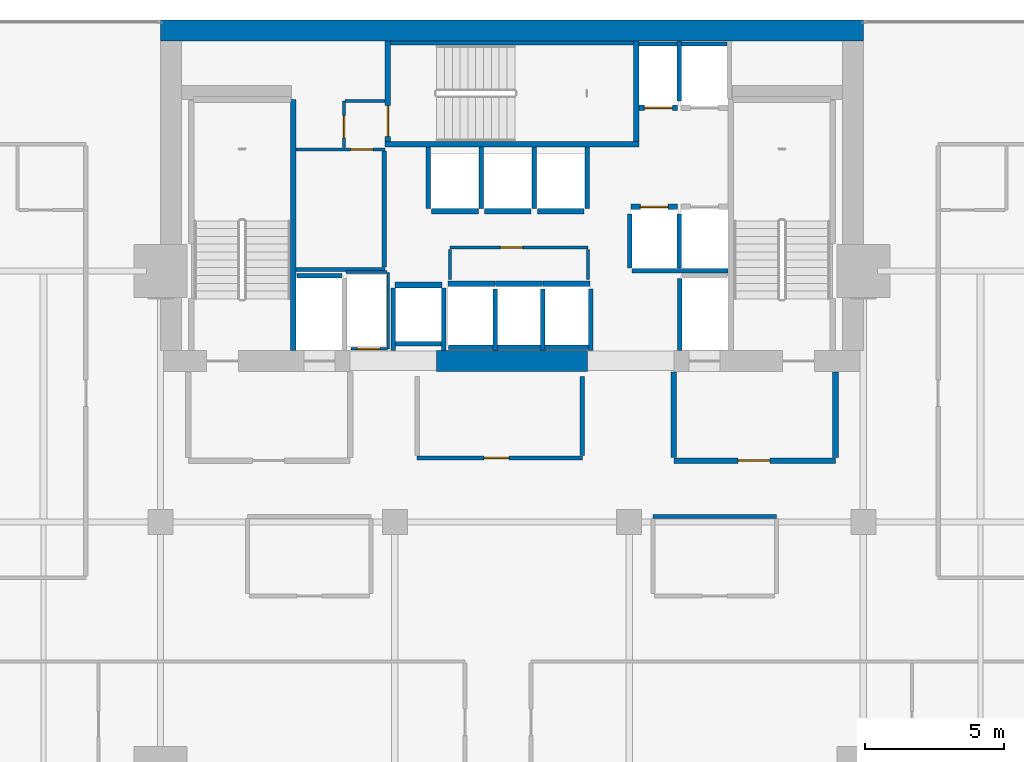
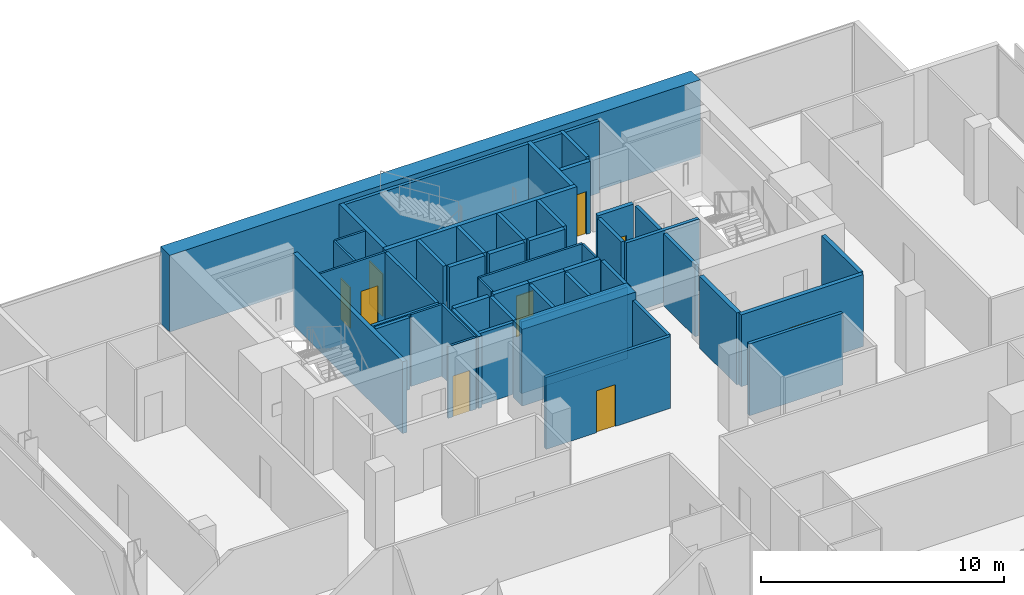
# One storey, part 29 of 32: 51 walls, 9 doors, 9 openings.
"""IFC4 building model written with IfcOpenShell, lengths in metres."""

from ifc_helpers import new_model, si_unit, direction, frame, frame_2d, origin, place, context, subcontext, project, spatial, rectangle, extrude, material, layer, layer_set, type_object, element, fill, save


model = new_model("IFC4")

# Units and contexts
model_context = context("Model", 3, precision=1e-05, world=origin(), true_north=direction((0.0, 1.0)))
body_context = subcontext(model_context, "Body", "Model", "MODEL_VIEW")
ifc_project = project(units=[si_unit("LENGTHUNIT", "METRE"), si_unit("AREAUNIT", "SQUARE_METRE"), si_unit("VOLUMEUNIT", "CUBIC_METRE"), si_unit("PLANEANGLEUNIT", "RADIAN"), si_unit("MASSUNIT", "GRAM", prefix="KILO")], contexts=[model_context])

# Site, building, storey
site_placement = place(None, origin())
site = spatial("IfcSite", under=ifc_project, at=site_placement, CompositionType="ELEMENT")
building_placement = place(site_placement, origin())
building = spatial("IfcBuilding", under=site, at=building_placement, Name="Maruvema Waterfront Hotel and Observation Tower", CompositionType="ELEMENT")
storey_placement = place(building_placement, frame((0.0, 0.0, 162.050048828125)))
storey = spatial("IfcBuildingStorey", under=building, at=storey_placement, Name="L39", CompositionType="ELEMENT", Elevation=162.050048828125)

# Walls
ifc_material_1 = material(Name="Twin-stud acoustic gypsum drywall", Category="gypsum")
ifc_layer_1 = layer(ifc_material_1, 0.14990234375, Name="Acoustic Corridor and Suite Demising Wall 150 mm")
ifc_layer_set_1 = layer_set([ifc_layer_1], Name="Twin-stud acoustic gypsum drywall")
wall_type_1 = type_object("IfcWallType", Name="Acoustic Corridor and Suite Demising Wall 150 mm", PredefinedType="PARTITIONING", material=ifc_layer_set_1)
wall_1_placement = place(storey_placement, frame((30.06005859375, 45.06005859375, 0.0), z_axis=(0.0, 0.0, 1.0), x_axis=(1.0, 0.0, 0.0)))
element("IfcWall", 1, at=wall_1_placement, inside=storey, type_object=wall_type_1, Name="L39 Freed B1 South Wall 013", PredefinedType="PARTITIONING", context=body_context, shape_type="SweptSolid", body=[
    extrude(rectangle(XDim=3.179931640625, YDim=0.14990234375, at=frame_2d((1.58984375, 0.0))), origin(), (0.0, 0.0, 1.0), 3.60986328125),
])
wall_2_placement = place(storey_placement, frame((33.219970703125, 45.139892578125, 0.0), z_axis=(0.0, 0.0, 1.0), x_axis=(0.0, 1.0, 0.0)))
element("IfcWall", 2, at=wall_2_placement, inside=storey, type_object=wall_type_1, Name="L39 Freed B1 East Wall 014", PredefinedType="PARTITIONING", context=body_context, shape_type="SweptSolid", body=[
    extrude(rectangle(XDim=4.16015625, YDim=0.14990234375, at=frame_2d((2.080078125, 0.0))), origin(), (0.0, 0.0, 1.0), 3.60986328125),
])

# Wall, opening, door
wall_3_placement = place(storey_placement, frame((34.39990234375, 38.300048828125, 0.0), z_axis=(0.0, 0.0, 1.0), x_axis=(1.0, 0.0, 0.0)))
wall_3 = element("IfcWall", 3, at=wall_3_placement, inside=storey, type_object=wall_type_1, Name="L39 Core Apron K0 South 018", PredefinedType="PARTITIONING", context=body_context, shape_type="SweptSolid", body=[
    extrude(rectangle(XDim=5.920166015625, YDim=0.14990234375, at=frame_2d((2.9599609375, 0.0))), origin(), (0.0, 0.0, 1.0), 3.60986328125),
])
opening_1_placement = place(wall_3_placement, frame((2.39990234375, 0.0, 0.0)))
opening_1 = element("IfcOpeningElement", 4, at=opening_1_placement, cuts=wall_3, Name="Opening DR-090", PredefinedType="OPENING", context=body_context, shape_type="SweptSolid", body=[
    extrude(rectangle(XDim=0.89990234375, YDim=2.10009765625, at=frame_2d((0.449951171875, 1.050048828125))), frame((0.0, 0.0849609375, 0.0), z_axis=(0.0, -1.0, 0.0), x_axis=(1.0, 0.0, 0.0)), (0.0, 0.0, 1.0), 0.169921875),
])
ifc_material_2 = material(Name="Solid-core lacquered timber leaf", Category="wood")
door_type_1 = type_object("IfcDoorType", Name="Accessible Toilet and Room Door 900x2100 mm", OperationType="NOTDEFINED", PredefinedType="DOOR", material=ifc_material_2)
door_1_placement = place(opening_1_placement, frame((0.89990234375, 0.0, 0.0), z_axis=(0.0, 0.0, 1.0), x_axis=(-1.0, 0.0, 0.0)))
door_1 = element("IfcDoor", 5, at=door_1_placement, inside=storey, type_object=door_type_1, Name="L39 Core Valet Room Door", OperationType="SINGLE_SWING_LEFT", OverallHeight=2.10009765625, OverallWidth=0.89990234375, PredefinedType="DOOR", context=body_context, shape_type="SweptSolid", body=[
    extrude(rectangle(XDim=0.89990234375, YDim=2.10009765625, at=frame_2d((0.449951171875, 1.050048828125))), frame((0.0, 0.02490234375, 0.0), z_axis=(0.0, -1.0, 0.0), x_axis=(1.0, 0.0, 0.0)), (0.0, 0.0, 1.0), 0.050048828125),
])
fill(opening_1, door_1)

# Walls
wall_4_placement = place(storey_placement, frame((40.320068359375, 38.3798828125, 0.0), z_axis=(0.0, 0.0, 1.0), x_axis=(0.0, 1.0, 0.0)))
element("IfcWall", 6, at=wall_4_placement, inside=storey, type_object=wall_type_1, Name="L39 Core Apron K0 East 020", PredefinedType="PARTITIONING", context=body_context, shape_type="SweptSolid", body=[
    extrude(rectangle(XDim=2.840087890625, YDim=0.14990234375, at=frame_2d((1.419921875, 0.0))), origin(), (0.0, 0.0, 1.0), 3.60986328125),
])
wall_5_placement = place(storey_placement, frame((42.85009765625, 36.199951171875, 0.0), z_axis=(0.0, 0.0, 1.0), x_axis=(1.0, 0.0, 0.0)))
element("IfcWall", 7, at=wall_5_placement, inside=storey, type_object=wall_type_1, Name="L39 L39-M2 Back Wall 025", PredefinedType="PARTITIONING", context=body_context, shape_type="SweptSolid", body=[
    extrude(rectangle(XDim=4.429931640625, YDim=0.14990234375, at=frame_2d((2.21484375, 0.0))), origin(), (0.0, 0.0, 1.0), 3.60986328125),
])
ifc_material_3 = material(Name="Precast concrete C45/55", Category="concrete")
ifc_layer_2 = layer(ifc_material_3, 0.14990234375, Name="Core Shaft Furring Wall 150 mm")
ifc_layer_set_2 = layer_set([ifc_layer_2], Name="Precast concrete C45/55")
wall_type_2 = type_object("IfcWallType", Name="Core Shaft Furring Wall 150 mm", PredefinedType="SOLIDWALL", material=ifc_layer_set_2)
wall_6_placement = place(storey_placement, frame((33.449951171875, 53.175048828125, 0.0), z_axis=(0.0, 0.0, 1.0), x_axis=(1.0, 0.0, 0.0)))
element("IfcWall", 8, at=wall_6_placement, inside=storey, type_object=wall_type_2, Name="L39 Stairwell ST-02 North Furring Wall", PredefinedType="SOLIDWALL", context=body_context, shape_type="SweptSolid", body=[
    extrude(rectangle(XDim=8.699951171875, YDim=0.14990234375, at=frame_2d((4.35009765625, 0.0))), origin(), (0.0, 0.0, 1.0), 3.60986328125),
])
ifc_material_4 = material(Name="Precast concrete C45/55", Category="concrete")
ifc_layer_3 = layer(ifc_material_4, 0.199951171875, Name="Core Shaft and Stairwell Enclosure Wall 200 mm")
ifc_layer_set_3 = layer_set([ifc_layer_3], Name="Precast concrete C45/55")
wall_type_3 = type_object("IfcWallType", Name="Core Shaft and Stairwell Enclosure Wall 200 mm", PredefinedType="SOLIDWALL", material=ifc_layer_set_3)
wall_7_placement = place(storey_placement, frame((29.949951171875, 42.14990234375, 0.0), z_axis=(0.0, 0.0, 1.0), x_axis=(0.0, 1.0, 0.0)))
element("IfcWall", 9, at=wall_7_placement, inside=storey, type_object=wall_type_3, Name="L39 Stairwell ST-01 East Shaft Wall", PredefinedType="SOLIDWALL", context=body_context, shape_type="SweptSolid", body=[
    extrude(rectangle(XDim=9.0, YDim=0.199951171875, at=frame_2d((4.5, 0.0))), origin(), (0.0, 0.0, 1.0), 3.60986328125),
])
wall_8_placement = place(storey_placement, frame((33.25, 49.550048828125, 0.0), z_axis=(0.0, 0.0, 1.0), x_axis=(1.0, 0.0, 0.0)))
element("IfcWall", 10, at=wall_8_placement, inside=storey, type_object=wall_type_3, Name="L39 Stairwell ST-02 Shaft Wall", PredefinedType="SOLIDWALL", context=body_context, shape_type="SweptSolid", body=[
    extrude(rectangle(XDim=9.10009765625, YDim=0.199951171875, at=frame_2d((4.550048828125, 0.0))), origin(), (0.0, 0.0, 1.0), 3.60986328125),
])
wall_9_placement = place(storey_placement, frame((42.25, 49.64990234375, 0.0), z_axis=(0.0, 0.0, 1.0), x_axis=(0.0, 1.0, 0.0)))
element("IfcWall", 11, at=wall_9_placement, inside=storey, type_object=wall_type_3, Name="L39 Stairwell ST-02 Shaft Wall", PredefinedType="SOLIDWALL", context=body_context, shape_type="SweptSolid", body=[
    extrude(rectangle(XDim=3.60009765625, YDim=0.199951171875, at=frame_2d((1.800048828125, 0.0))), origin(), (0.0, 0.0, 1.0), 3.60986328125),
])

# Wall, opening, door
wall_10_placement = place(storey_placement, frame((33.35009765625, 49.64990234375, 0.0), z_axis=(0.0, 0.0, 1.0), x_axis=(0.0, 1.0, 0.0)))
wall_10 = element("IfcWall", 12, at=wall_10_placement, inside=storey, type_object=wall_type_3, Name="L39 Stairwell ST-02 Shaft Wall", PredefinedType="SOLIDWALL", context=body_context, shape_type="SweptSolid", body=[
    extrude(rectangle(XDim=3.60009765625, YDim=0.199951171875, at=frame_2d((1.800048828125, 0.0))), origin(), (0.0, 0.0, 1.0), 3.60986328125),
])
opening_2_placement = place(wall_10_placement, frame((0.179931640625, 0.0, 0.0)))
opening_2 = element("IfcOpeningElement", 13, at=opening_2_placement, cuts=wall_10, Name="Opening SD-02", PredefinedType="OPENING", context=body_context, shape_type="SweptSolid", body=[
    extrude(rectangle(XDim=1.10009765625, YDim=2.14990234375, at=frame_2d((0.550048828125, 1.074951171875))), frame((0.0, 0.10986328125, 0.0), z_axis=(0.0, -1.0, 0.0), x_axis=(1.0, 0.0, 0.0)), (0.0, 0.0, 1.0), 0.219970703125),
])
ifc_material_5 = material(Name="Fire-rated galvanised steel leaf", Category="steel")
door_type_2 = type_object("IfcDoorType", Name="Central Exit Stair Fire Door 1100x2150 mm", OperationType="NOTDEFINED", PredefinedType="DOOR", material=ifc_material_5)
door_2_placement = place(opening_2_placement, frame((1.10009765625, 0.0, 0.0), z_axis=(0.0, 0.0, 1.0), x_axis=(-1.0, 0.0, 0.0)))
door_2 = element("IfcDoor", 14, at=door_2_placement, inside=storey, type_object=door_type_2, Name="L39 Exit Stair ST-02 Fire Door", OperationType="SINGLE_SWING_LEFT", OverallHeight=2.14990234375, OverallWidth=1.10009765625, PredefinedType="DOOR", context=body_context, shape_type="SweptSolid", body=[
    extrude(rectangle(XDim=1.10009765625, YDim=2.14990234375, at=frame_2d((0.550048828125, 1.074951171875))), frame((0.0, 0.02490234375, 0.0), z_axis=(0.0, -1.0, 0.0), x_axis=(1.0, 0.0, 0.0)), (0.0, 0.0, 1.0), 0.050048828125),
])
fill(opening_2, door_2)

wall_11_placement = place(storey_placement, frame((42.06005859375, 47.300048828125, 0.0), z_axis=(0.0, 0.0, 1.0), x_axis=(1.0, 0.0, 0.0)))
wall_11 = element("IfcWall", 15, at=wall_11_placement, inside=storey, type_object=wall_type_3, Name="L39 Lift LF-05 Hoistway Front Wall", PredefinedType="SOLIDWALL", context=body_context, shape_type="SweptSolid", body=[
    extrude(rectangle(XDim=1.679931640625, YDim=0.199951171875, at=frame_2d((0.83984375, 0.0))), origin(), (0.0, 0.0, 1.0), 3.60986328125),
])
opening_3_placement = place(wall_11_placement, frame((0.340087890625, 0.0, 0.0)))
opening_3 = element("IfcOpeningElement", 16, at=opening_3_placement, cuts=wall_11, Name="Opening LD-01", PredefinedType="OPENING", context=body_context, shape_type="SweptSolid", body=[
    extrude(rectangle(XDim=1.0, YDim=2.14990234375, at=frame_2d((0.5, 1.074951171875))), frame((0.0, 0.10986328125, 0.0), z_axis=(0.0, -1.0, 0.0), x_axis=(1.0, 0.0, 0.0)), (0.0, 0.0, 1.0), 0.219970703125),
])
ifc_material_6 = material(Name="Brushed stainless steel Grade 316", Category="steel")
door_type_3 = type_object("IfcDoorType", Name="Passenger Lift Sliding Landing Door 1000x2150 mm", OperationType="SLIDING_TO_LEFT", PredefinedType="DOOR", material=ifc_material_6)
door_3_placement = place(opening_3_placement, origin())
door_3 = element("IfcDoor", 17, at=door_3_placement, inside=storey, type_object=door_type_3, Name="L39 Lift LF-05 Sliding Landing Door", OperationType="SLIDING_TO_LEFT", OverallHeight=2.14990234375, OverallWidth=1.0, PredefinedType="DOOR", context=body_context, shape_type="SweptSolid", body=[
    extrude(rectangle(XDim=1.0, YDim=2.14990234375, at=frame_2d((0.5, 1.074951171875))), frame((0.0, 0.02490234375, 0.0), z_axis=(0.0, -1.0, 0.0), x_axis=(1.0, 0.0, 0.0)), (0.0, 0.0, 1.0), 0.050048828125),
])
fill(opening_3, door_3)

wall_12_placement = place(storey_placement, frame((42.360107421875, 50.85009765625, 0.0), z_axis=(0.0, 0.0, 1.0), x_axis=(1.0, 0.0, 0.0)))
wall_12 = element("IfcWall", 18, at=wall_12_placement, inside=storey, type_object=wall_type_3, Name="L39 Lift LF-07 Hoistway Front Wall", PredefinedType="SOLIDWALL", context=body_context, shape_type="SweptSolid", body=[
    extrude(rectangle(XDim=1.3798828125, YDim=0.199951171875, at=frame_2d((0.68994140625, 0.0))), origin(), (0.0, 0.0, 1.0), 3.60986328125),
])
opening_4_placement = place(wall_12_placement, frame((0.18994140625, 0.0, 0.0)))
opening_4 = element("IfcOpeningElement", 19, at=opening_4_placement, cuts=wall_12, Name="Opening LD-01", PredefinedType="OPENING", context=body_context, shape_type="SweptSolid", body=[
    extrude(rectangle(XDim=1.0, YDim=2.14990234375, at=frame_2d((0.5, 1.074951171875))), frame((0.0, 0.10986328125, 0.0), z_axis=(0.0, -1.0, 0.0), x_axis=(1.0, 0.0, 0.0)), (0.0, 0.0, 1.0), 0.219970703125),
])
door_4_placement = place(opening_4_placement, frame((1.0, 0.0, 0.0), z_axis=(0.0, 0.0, 1.0), x_axis=(-1.0, 0.0, 0.0)))
door_4 = element("IfcDoor", 20, at=door_4_placement, inside=storey, type_object=door_type_3, Name="L39 Lift LF-07 Sliding Landing Door", OperationType="SLIDING_TO_LEFT", OverallHeight=2.14990234375, OverallWidth=1.0, PredefinedType="DOOR", context=body_context, shape_type="SweptSolid", body=[
    extrude(rectangle(XDim=1.0, YDim=2.14990234375, at=frame_2d((0.5, 1.074951171875))), frame((0.0, 0.02490234375, 0.0), z_axis=(0.0, -1.0, 0.0), x_axis=(1.0, 0.0, 0.0)), (0.0, 0.0, 1.0), 0.050048828125),
])
fill(opening_4, door_4)

# Walls
for number, where, z_axis, x_axis, name in (
    (21, (35.510009765625, 44.550048828125, 0.0), (0.0, 0.0, 1.0), (1.0, 0.0, 0.0), "L39 Lift LF-09 Hoistway Front Wall"),
    (22, (37.2099609375, 44.550048828125, 0.0), (0.0, 0.0, 1.0), (1.0, 0.0, 0.0), "L39 Lift LF-10 Hoistway Front Wall"),
):
    element("IfcWall", number, at=place(storey_placement, frame(where, z_axis=z_axis, x_axis=x_axis)), inside=storey, type_object=wall_type_3, Name=name, PredefinedType="SOLIDWALL", context=body_context, shape_type="SweptSolid", body=[
        extrude(rectangle(XDim=1.679931640625, YDim=0.199951171875, at=frame_2d((0.83984375, 0.0))), origin(), (0.0, 0.0, 1.0), 3.60986328125),
    ])
for number, where, z_axis, x_axis, name in (
    (23, (38.909912109375, 44.550048828125, 0.0), (0.0, 0.0, 1.0), (1.0, 0.0, 0.0), "L39 Lift LF-11 Hoistway Front Wall"),
    (24, (34.909912109375, 47.14990234375, 0.0), (0.0, 0.0, 1.0), (1.0, 0.0, 0.0), "L39 Lift LF-12 Hoistway Front Wall"),
):
    element("IfcWall", number, at=place(storey_placement, frame(where, z_axis=z_axis, x_axis=x_axis)), inside=storey, type_object=wall_type_3, Name=name, PredefinedType="SOLIDWALL", context=body_context, shape_type="SweptSolid", body=[
        extrude(rectangle(XDim=1.68017578125, YDim=0.199951171875, at=frame_2d((0.840087890625, 0.0))), origin(), (0.0, 0.0, 1.0), 3.60986328125),
    ])
for number, where, z_axis, x_axis, name in (
    (25, (36.81005859375, 47.14990234375, 0.0), (0.0, 0.0, 1.0), (1.0, 0.0, 0.0), "L39 Lift LF-13 Hoistway Front Wall"),
    (26, (38.7099609375, 47.14990234375, 0.0), (0.0, 0.0, 1.0), (1.0, 0.0, 0.0), "L39 Lift LF-14 Hoistway Front Wall"),
    (27, (33.610107421875, 44.5, 0.0), (0.0, 0.0, 1.0), (1.0, 0.0, 0.0), "L39 Lift LF-15 Hoistway Front Wall"),
):
    element("IfcWall", number, at=place(storey_placement, frame(where, z_axis=z_axis, x_axis=x_axis)), inside=storey, type_object=wall_type_3, Name=name, PredefinedType="SOLIDWALL", context=body_context, shape_type="SweptSolid", body=[
        extrude(rectangle(XDim=1.679931640625, YDim=0.199951171875, at=frame_2d((0.83984375, 0.0))), origin(), (0.0, 0.0, 1.0), 3.60986328125),
    ])
ifc_material_7 = material(Name="Concrete C70/85", Category="concrete")
ifc_layer_4 = layer(ifc_material_7, 0.75, Name="Core Shear Wall 750 mm")
ifc_layer_set_4 = layer_set([ifc_layer_4], Name="Concrete C70/85")
wall_type_4 = type_object("IfcWallType", Name="Core Shear Wall 750 mm", PredefinedType="SHEAR", material=ifc_layer_set_4)
wall_13_placement = place(storey_placement, frame((25.199951171875, 53.625, 0.0), z_axis=(0.0, 0.0, 1.0), x_axis=(1.0, 0.0, 0.0)))
element("IfcWall", 28, at=wall_13_placement, inside=storey, type_object=wall_type_4, Name="L39 North Core Shear Wall", PredefinedType="SHEAR", context=body_context, shape_type="SweptSolid", body=[
    extrude(rectangle(XDim=25.199951171875, YDim=0.75, at=frame_2d((12.60009765625, 0.0))), origin(), (0.0, 0.0, 1.0), 3.849853515625),
])
wall_14_placement = place(storey_placement, frame((35.10009765625, 41.77490234375, 0.0), z_axis=(0.0, 0.0, 1.0), x_axis=(1.0, 0.0, 0.0)))
element("IfcWall", 29, at=wall_14_placement, inside=storey, type_object=wall_type_4, Name="L39 South-Central Core Shear Wall", PredefinedType="SHEAR", context=body_context, shape_type="SweptSolid", body=[
    extrude(rectangle(XDim=5.39990234375, YDim=0.75, at=frame_2d((2.699951171875, 0.0))), origin(), (0.0, 0.0, 1.0), 3.849853515625),
])

# Wall, opening, door
ifc_material_8 = material(Name="Moisture-resistant cement-board drywall", Category="gypsum")
ifc_layer_5 = layer(ifc_material_8, 0.10009765625, Name="En-Suite Moisture-Resistant Partition 100 mm")
ifc_layer_set_5 = layer_set([ifc_layer_5], Name="Moisture-resistant cement-board drywall")
wall_type_5 = type_object("IfcWallType", Name="En-Suite Moisture-Resistant Partition 100 mm", PredefinedType="PARTITIONING", material=ifc_layer_set_5)
wall_15_placement = place(storey_placement, frame((32.02001953125, 42.2099609375, 0.0), z_axis=(0.0, 0.0, 1.0), x_axis=(1.0, 0.0, 0.0)))
wall_15 = element("IfcWall", 30, at=wall_15_placement, inside=storey, type_object=wall_type_5, Name="L39 Telecom Riser South Wall 007", PredefinedType="PARTITIONING", context=body_context, shape_type="SweptSolid", body=[
    extrude(rectangle(XDim=1.320068359375, YDim=0.10009765625, at=frame_2d((0.66015625, 0.0))), origin(), (0.0, 0.0, 1.0), 3.60986328125),
])
opening_5_placement = place(wall_15_placement, frame((0.239990234375, 0.0, 0.0)))
opening_5 = element("IfcOpeningElement", 31, at=opening_5_placement, cuts=wall_15, Name="Opening DR-080", PredefinedType="OPENING", context=body_context, shape_type="SweptSolid", body=[
    extrude(rectangle(XDim=0.800048828125, YDim=2.050048828125, at=frame_2d((0.39990234375, 1.02490234375))), frame((0.0, 0.06005859375, 0.0), z_axis=(0.0, -1.0, 0.0), x_axis=(1.0, 0.0, 0.0)), (0.0, 0.0, 1.0), 0.1201171875),
])
ifc_material_9 = material(Name="Powder-coated steel access leaf", Category="steel")
door_type_4 = type_object("IfcDoorType", Name="Riser and Service Cupboard Door 800x2050 mm", OperationType="NOTDEFINED", PredefinedType="DOOR", material=ifc_material_9)
door_5_placement = place(opening_5_placement, frame((0.800048828125, 0.0, 0.0), z_axis=(0.0, 0.0, 1.0), x_axis=(-1.0, 0.0, 0.0)))
door_5 = element("IfcDoor", 32, at=door_5_placement, inside=storey, type_object=door_type_4, Name="L39 Telecom Riser Door", OperationType="SINGLE_SWING_LEFT", OverallHeight=2.050048828125, OverallWidth=0.800048828125, PredefinedType="DOOR", context=body_context, shape_type="SweptSolid", body=[
    extrude(rectangle(XDim=0.800048828125, YDim=2.050048828125, at=frame_2d((0.39990234375, 1.02490234375))), frame((0.0, 0.02490234375, 0.0), z_axis=(0.0, -1.0, 0.0), x_axis=(1.0, 0.0, 0.0)), (0.0, 0.0, 1.0), 0.050048828125),
])
fill(opening_5, door_5)

# Walls
wall_16_placement = place(storey_placement, frame((31.840087890625, 44.9599609375, 0.0), z_axis=(0.0, 0.0, 1.0), x_axis=(1.0, 0.0, 0.0)))
element("IfcWall", 33, at=wall_16_placement, inside=storey, type_object=wall_type_5, Name="L39 Telecom Riser North Wall 008", PredefinedType="PARTITIONING", context=body_context, shape_type="SweptSolid", body=[
    extrude(rectangle(XDim=1.47998046875, YDim=0.10009765625, at=frame_2d((0.739990234375, 0.0))), origin(), (0.0, 0.0, 1.0), 3.60986328125),
])
wall_17_placement = place(storey_placement, frame((33.360107421875, 42.2099609375, 0.0), z_axis=(0.0, 0.0, 1.0), x_axis=(0.0, 1.0, 0.0)))
element("IfcWall", 34, at=wall_17_placement, inside=storey, type_object=wall_type_5, Name="L39 Telecom Riser East Wall 009", PredefinedType="PARTITIONING", context=body_context, shape_type="SweptSolid", body=[
    extrude(rectangle(XDim=2.72998046875, YDim=0.10009765625, at=frame_2d((1.364990234375, 0.0))), origin(), (0.0, 0.0, 1.0), 3.60986328125),
])

# Wall, opening, door
wall_18_placement = place(storey_placement, frame((35.580078125, 45.840087890625, 0.0), z_axis=(0.0, 0.0, 1.0), x_axis=(1.0, 0.0, 0.0)))
wall_18 = element("IfcWall", 35, at=wall_18_placement, inside=storey, type_object=wall_type_5, Name="L39 Core Closet K0 North 010", PredefinedType="PARTITIONING", context=body_context, shape_type="SweptSolid", body=[
    extrude(rectangle(XDim=4.93994140625, YDim=0.10009765625, at=frame_2d((2.469970703125, 0.0))), origin(), (0.0, 0.0, 1.0), 3.60986328125),
])
opening_6_placement = place(wall_18_placement, frame((1.800048828125, 0.0, 0.0)))
opening_6 = element("IfcOpeningElement", 36, at=opening_6_placement, cuts=wall_18, Name="Opening DR-080", PredefinedType="OPENING", context=body_context, shape_type="SweptSolid", body=[
    extrude(rectangle(XDim=0.800048828125, YDim=2.050048828125, at=frame_2d((0.39990234375, 1.02490234375))), frame((0.0, 0.06005859375, 0.0), z_axis=(0.0, -1.0, 0.0), x_axis=(1.0, 0.0, 0.0)), (0.0, 0.0, 1.0), 0.1201171875),
])
door_6_placement = place(opening_6_placement, origin())
door_6 = element("IfcDoor", 37, at=door_6_placement, inside=storey, type_object=door_type_4, Name="L39 Core Electrical Closet Door", OperationType="SINGLE_SWING_RIGHT", OverallHeight=2.050048828125, OverallWidth=0.800048828125, PredefinedType="DOOR", context=body_context, shape_type="SweptSolid", body=[
    extrude(rectangle(XDim=0.800048828125, YDim=2.050048828125, at=frame_2d((0.39990234375, 1.02490234375))), frame((0.0, 0.02490234375, 0.0), z_axis=(0.0, -1.0, 0.0), x_axis=(1.0, 0.0, 0.0)), (0.0, 0.0, 1.0), 0.050048828125),
])
fill(opening_6, door_6)

# Walls
for number, where, z_axis, x_axis, name in (
    (38, (35.580078125, 44.699951171875, 0.0), (0.0, 0.0, 1.0), (0.0, 1.0, 0.0), "L39 Core Closet K0 West 011"),
    (39, (40.52001953125, 44.699951171875, 0.0), (0.0, 0.0, 1.0), (0.0, 1.0, 0.0), "L39 Core Closet K0 East 012"),
):
    element("IfcWall", number, at=place(storey_placement, frame(where, z_axis=z_axis, x_axis=x_axis)), inside=storey, type_object=wall_type_5, Name=name, PredefinedType="PARTITIONING", context=body_context, shape_type="SweptSolid", body=[
        extrude(rectangle(XDim=1.080078125, YDim=0.10009765625, at=frame_2d((0.5400390625, 0.0))), origin(), (0.0, 0.0, 1.0), 3.60986328125),
    ])

# Wall, opening, door
wall_19_placement = place(storey_placement, frame((30.06005859375, 49.360107421875, 0.0), z_axis=(0.0, 0.0, 1.0), x_axis=(1.0, 0.0, 0.0)))
wall_19 = element("IfcWall", 40, at=wall_19_placement, inside=storey, type_object=wall_type_5, Name="L39 Freed B1 Mid Wall 015", PredefinedType="PARTITIONING", context=body_context, shape_type="SweptSolid", body=[
    extrude(rectangle(XDim=3.179931640625, YDim=0.10009765625, at=frame_2d((1.58984375, 0.0))), origin(), (0.0, 0.0, 1.0), 3.60986328125),
])
opening_7_placement = place(wall_19_placement, frame((1.949951171875, 0.0, 0.0)))
opening_7 = element("IfcOpeningElement", 41, at=opening_7_placement, cuts=wall_19, Name="Opening DR-080", PredefinedType="OPENING", context=body_context, shape_type="SweptSolid", body=[
    extrude(rectangle(XDim=0.800048828125, YDim=2.050048828125, at=frame_2d((0.39990234375, 1.02490234375))), frame((0.0, 0.06005859375, 0.0), z_axis=(0.0, -1.0, 0.0), x_axis=(1.0, 0.0, 0.0)), (0.0, 0.0, 1.0), 0.1201171875),
])
door_7_placement = place(opening_7_placement, origin())
door_7 = element("IfcDoor", 42, at=door_7_placement, inside=storey, type_object=door_type_4, Name="L39 Housekeeping and Linen Room Door", OperationType="SINGLE_SWING_LEFT", OverallHeight=2.050048828125, OverallWidth=0.800048828125, PredefinedType="DOOR", context=body_context, shape_type="SweptSolid", body=[
    extrude(rectangle(XDim=0.800048828125, YDim=2.050048828125, at=frame_2d((0.39990234375, 1.02490234375))), frame((0.0, 0.02490234375, 0.0), z_axis=(0.0, -1.0, 0.0), x_axis=(1.0, 0.0, 0.0)), (0.0, 0.0, 1.0), 0.050048828125),
])
fill(opening_7, door_7)

wall_20_placement = place(storey_placement, frame((31.780029296875, 49.419921875, 0.0), z_axis=(0.0, 0.0, 1.0), x_axis=(0.0, 1.0, 0.0)))
wall_20 = element("IfcWall", 43, at=wall_20_placement, inside=storey, type_object=wall_type_5, Name="L39 Freed B1 NW East Wall 016", PredefinedType="PARTITIONING", context=body_context, shape_type="SweptSolid", body=[
    extrude(rectangle(XDim=1.68017578125, YDim=0.10009765625, at=frame_2d((0.840087890625, 0.0))), origin(), (0.0, 0.0, 1.0), 3.60986328125),
])
opening_8_placement = place(wall_20_placement, frame((0.35009765625, 0.0, 0.0)))
opening_8 = element("IfcOpeningElement", 44, at=opening_8_placement, cuts=wall_20, Name="Opening DR-080", PredefinedType="OPENING", context=body_context, shape_type="SweptSolid", body=[
    extrude(rectangle(XDim=0.800048828125, YDim=2.050048828125, at=frame_2d((0.39990234375, 1.02490234375))), frame((0.0, 0.06005859375, 0.0), z_axis=(0.0, -1.0, 0.0), x_axis=(1.0, 0.0, 0.0)), (0.0, 0.0, 1.0), 0.1201171875),
])
door_8_placement = place(opening_8_placement, origin())
door_8 = element("IfcDoor", 45, at=door_8_placement, inside=storey, type_object=door_type_4, Name="L39 Guest Floor Pantry Door", OperationType="SINGLE_SWING_RIGHT", OverallHeight=2.050048828125, OverallWidth=0.800048828125, PredefinedType="DOOR", context=body_context, shape_type="SweptSolid", body=[
    extrude(rectangle(XDim=0.800048828125, YDim=2.050048828125, at=frame_2d((0.39990234375, 1.02490234375))), frame((0.0, 0.02490234375, 0.0), z_axis=(0.0, -1.0, 0.0), x_axis=(1.0, 0.0, 0.0)), (0.0, 0.0, 1.0), 0.050048828125),
])
fill(opening_8, door_8)

# Wall
wall_21_placement = place(storey_placement, frame((31.820068359375, 51.10009765625, 0.0), z_axis=(0.0, 0.0, 1.0), x_axis=(1.0, 0.0, 0.0)))
element("IfcWall", 46, at=wall_21_placement, inside=storey, type_object=wall_type_5, Name="L39 Freed B1 Vestibule North Wall 017", PredefinedType="PARTITIONING", context=body_context, shape_type="SweptSolid", body=[
    extrude(rectangle(XDim=1.419921875, YDim=0.10009765625, at=frame_2d((0.7099609375, 0.0))), origin(), (0.0, 0.0, 1.0), 3.60986328125),
])

# Wall, opening, door
ifc_material_10 = material(Name="Autoclaved cellular concrete blockwork", Category="masonry")
ifc_layer_6 = layer(ifc_material_10, 0.199951171875, Name="Fire Compartment Masonry Wall 200 mm")
ifc_layer_set_6 = layer_set([ifc_layer_6], Name="Autoclaved cellular concrete blockwork")
wall_type_6 = type_object("IfcWallType", Name="Fire Compartment Masonry Wall 200 mm", PredefinedType="PARTITIONING", material=ifc_layer_set_6)
wall_22_placement = place(storey_placement, frame((43.60009765625, 38.199951171875, 0.0), z_axis=(0.0, 0.0, 1.0), x_axis=(1.0, 0.0, 0.0)))
wall_22 = element("IfcWall", 47, at=wall_22_placement, inside=storey, type_object=wall_type_6, Name="L39 FFL East South Wall 004", PredefinedType="PARTITIONING", context=body_context, shape_type="SweptSolid", body=[
    extrude(rectangle(XDim=5.7998046875, YDim=0.199951171875, at=frame_2d((2.89990234375, 0.0))), origin(), (0.0, 0.0, 1.0), 3.60986328125),
])
opening_9_placement = place(wall_22_placement, frame((2.300048828125, 0.0, 0.0)))
opening_9 = element("IfcOpeningElement", 48, at=opening_9_placement, cuts=wall_22, Name="Opening FD-115", PredefinedType="OPENING", context=body_context, shape_type="SweptSolid", body=[
    extrude(rectangle(XDim=1.14990234375, YDim=2.14990234375, at=frame_2d((0.574951171875, 1.074951171875))), frame((0.0, 0.10986328125, 0.0), z_axis=(0.0, -1.0, 0.0), x_axis=(1.0, 0.0, 0.0)), (0.0, 0.0, 1.0), 0.219970703125),
])
ifc_material_11 = material(Name="Fire-rated galvanised steel and vision glass", Category="steel")
door_type_5 = type_object("IfcDoorType", Name="Firefighting Lobby Fire Door 1150x2150 mm", OperationType="NOTDEFINED", PredefinedType="DOOR", material=ifc_material_11)
door_9_placement = place(opening_9_placement, frame((1.14990234375, 0.0, 0.0), z_axis=(0.0, 0.0, 1.0), x_axis=(-1.0, 0.0, 0.0)))
door_9 = element("IfcDoor", 49, at=door_9_placement, inside=storey, type_object=door_type_5, Name="L39 Firefighting Lobby East Door", OperationType="SINGLE_SWING_RIGHT", OverallHeight=2.14990234375, OverallWidth=1.14990234375, PredefinedType="DOOR", context=body_context, shape_type="SweptSolid", body=[
    extrude(rectangle(XDim=1.14990234375, YDim=2.14990234375, at=frame_2d((0.574951171875, 1.074951171875))), frame((0.0, 0.02490234375, 0.0), z_axis=(0.0, -1.0, 0.0), x_axis=(1.0, 0.0, 0.0)), (0.0, 0.0, 1.0), 0.050048828125),
])
fill(opening_9, door_9)

# Walls
for number, where, z_axis, x_axis, name in (
    (50, (43.60009765625, 38.31005859375, 0.0), (0.0, 0.0, 1.0), (0.0, 1.0, 0.0), "L39 FFL East West Wall 005"),
    (51, (49.39990234375, 38.31005859375, 0.0), (0.0, 0.0, 1.0), (0.0, 1.0, 0.0), "L39 FFL East East Wall 006"),
):
    element("IfcWall", number, at=place(storey_placement, frame(where, z_axis=z_axis, x_axis=x_axis)), inside=storey, type_object=wall_type_6, Name=name, PredefinedType="PARTITIONING", context=body_context, shape_type="SweptSolid", body=[
        extrude(rectangle(XDim=3.06982421875, YDim=0.199951171875, at=frame_2d((1.534912109375, 0.0))), origin(), (0.0, 0.0, 1.0), 3.60986328125),
    ])
ifc_material_12 = material(Name="Precast concrete C45/55", Category="concrete")
ifc_layer_7 = layer(ifc_material_12, 0.159912109375, Name="Lift Hoistway Divider Wall 160 mm")
ifc_layer_set_7 = layer_set([ifc_layer_7], Name="Precast concrete C45/55")
wall_type_7 = type_object("IfcWallType", Name="Lift Hoistway Divider Wall 160 mm", PredefinedType="SOLIDWALL", material=ifc_layer_set_7)
wall_23_placement = place(storey_placement, frame((30.10009765625, 44.830078125, 0.0), z_axis=(0.0, 0.0, 1.0), x_axis=(1.0, 0.0, 0.0)))
element("IfcWall", 52, at=wall_23_placement, inside=storey, type_object=wall_type_7, Name="L39 Lift FL-01 Rear Hoistway Wall", PredefinedType="SOLIDWALL", context=body_context, shape_type="SweptSolid", body=[
    extrude(rectangle(XDim=1.599853515625, YDim=0.159912109375, at=frame_2d((0.7998046875, 0.0))), origin(), (0.0, 0.0, 1.0), 3.60986328125),
])
wall_24_placement = place(storey_placement, frame((43.820068359375, 42.14990234375, 0.0), z_axis=(0.0, 0.0, 1.0), x_axis=(0.0, 1.0, 0.0)))
element("IfcWall", 53, at=wall_24_placement, inside=storey, type_object=wall_type_7, Name="L39 Lift FL-02 Inner Hoistway Wall", PredefinedType="SOLIDWALL", context=body_context, shape_type="SweptSolid", body=[
    extrude(rectangle(XDim=2.590087890625, YDim=0.159912109375, at=frame_2d((1.294921875, 0.0))), origin(), (0.0, 0.0, 1.0), 3.60986328125),
])
for number, where, z_axis, x_axis, name in (
    (54, (42.02001953125, 45.10009765625, 0.0), (0.0, 0.0, 1.0), (0.0, 1.0, 0.0), "L39 Hoistway Divider Wall"),
    (55, (43.800048828125, 45.10009765625, 0.0), (0.0, 0.0, 1.0), (0.0, 1.0, 0.0), "L39 Hoistway Divider Wall"),
):
    element("IfcWall", number, at=place(storey_placement, frame(where, z_axis=z_axis, x_axis=x_axis)), inside=storey, type_object=wall_type_7, Name=name, PredefinedType="SOLIDWALL", context=body_context, shape_type="SweptSolid", body=[
        extrude(rectangle(XDim=1.949951171875, YDim=0.159912109375, at=frame_2d((0.97509765625, 0.0))), origin(), (0.0, 0.0, 1.0), 3.60986328125),
    ])
wall_25_placement = place(storey_placement, frame((42.10009765625, 45.010009765625, 0.0), z_axis=(0.0, 0.0, 1.0), x_axis=(1.0, 0.0, 0.0)))
element("IfcWall", 56, at=wall_25_placement, inside=storey, type_object=wall_type_7, Name="L39 Hoistway Divider Wall", PredefinedType="SOLIDWALL", context=body_context, shape_type="SweptSolid", body=[
    extrude(rectangle(XDim=3.449951171875, YDim=0.159912109375, at=frame_2d((1.72509765625, 0.0))), origin(), (0.0, 0.0, 1.0), 3.60986328125),
])
wall_26_placement = place(storey_placement, frame((43.800048828125, 51.10009765625, 0.0), z_axis=(0.0, 0.0, 1.0), x_axis=(0.0, 1.0, 0.0)))
element("IfcWall", 57, at=wall_26_placement, inside=storey, type_object=wall_type_7, Name="L39 Hoistway Divider Wall", PredefinedType="SOLIDWALL", context=body_context, shape_type="SweptSolid", body=[
    extrude(rectangle(XDim=2.14990234375, YDim=0.159912109375, at=frame_2d((1.074951171875, 0.0))), origin(), (0.0, 0.0, 1.0), 3.60986328125),
])
wall_27_placement = place(storey_placement, frame((42.360107421875, 53.139892578125, 0.0), z_axis=(0.0, 0.0, 1.0), x_axis=(1.0, 0.0, 0.0)))
element("IfcWall", 58, at=wall_27_placement, inside=storey, type_object=wall_type_7, Name="L39 Hoistway Divider Wall", PredefinedType="SOLIDWALL", context=body_context, shape_type="SweptSolid", body=[
    extrude(rectangle(XDim=3.139892578125, YDim=0.159912109375, at=frame_2d((1.56982421875, 0.0))), origin(), (0.0, 0.0, 1.0), 3.60986328125),
])
for number, where, z_axis, x_axis, name in (
    (59, (37.199951171875, 42.14990234375, 0.0), (0.0, 0.0, 1.0), (0.0, 1.0, 0.0), "L39 Hoistway Divider Wall"),
    (60, (38.89990234375, 42.14990234375, 0.0), (0.0, 0.0, 1.0), (0.0, 1.0, 0.0), "L39 Hoistway Divider Wall"),
    (61, (40.6201171875, 42.14990234375, 0.0), (0.0, 0.0, 1.0), (0.0, 1.0, 0.0), "L39 Hoistway Divider Wall"),
):
    element("IfcWall", number, at=place(storey_placement, frame(where, z_axis=z_axis, x_axis=x_axis)), inside=storey, type_object=wall_type_7, Name=name, PredefinedType="SOLIDWALL", context=body_context, shape_type="SweptSolid", body=[
        extrude(rectangle(XDim=2.2001953125, YDim=0.159912109375, at=frame_2d((1.10009765625, 0.0))), origin(), (0.0, 0.0, 1.0), 3.60986328125),
    ])
wall_28_placement = place(storey_placement, frame((35.52001953125, 42.260009765625, 0.0), z_axis=(0.0, 0.0, 1.0), x_axis=(1.0, 0.0, 0.0)))
element("IfcWall", 62, at=wall_28_placement, inside=storey, type_object=wall_type_7, Name="L39 Hoistway Divider Wall", PredefinedType="SOLIDWALL", context=body_context, shape_type="SweptSolid", body=[
    extrude(rectangle(XDim=5.02001953125, YDim=0.159912109375, at=frame_2d((2.510009765625, 0.0))), origin(), (0.0, 0.0, 1.0), 3.60986328125),
])
for number, where, z_axis, x_axis, name in (
    (63, (34.800048828125, 47.25, 0.0), (0.0, 0.0, 1.0), (0.0, 1.0, 0.0), "L39 Hoistway Divider Wall"),
    (64, (36.699951171875, 47.25, 0.0), (0.0, 0.0, 1.0), (0.0, 1.0, 0.0), "L39 Hoistway Divider Wall"),
    (65, (38.60009765625, 47.25, 0.0), (0.0, 0.0, 1.0), (0.0, 1.0, 0.0), "L39 Hoistway Divider Wall"),
    (66, (40.5, 47.25, 0.0), (0.0, 0.0, 1.0), (0.0, 1.0, 0.0), "L39 Hoistway Divider Wall"),
):
    element("IfcWall", number, at=place(storey_placement, frame(where, z_axis=z_axis, x_axis=x_axis)), inside=storey, type_object=wall_type_7, Name=name, PredefinedType="SOLIDWALL", context=body_context, shape_type="SweptSolid", body=[
        extrude(rectangle(XDim=2.18994140625, YDim=0.159912109375, at=frame_2d((1.094970703125, 0.0))), origin(), (0.0, 0.0, 1.0), 3.60986328125),
    ])
for number, where, z_axis, x_axis, name in (
    (67, (33.5400390625, 42.14990234375, 0.0), (0.0, 0.0, 1.0), (0.0, 1.0, 0.0), "L39 Hoistway Divider Wall"),
    (68, (35.360107421875, 42.14990234375, 0.0), (0.0, 0.0, 1.0), (0.0, 1.0, 0.0), "L39 Hoistway Divider Wall"),
):
    element("IfcWall", number, at=place(storey_placement, frame(where, z_axis=z_axis, x_axis=x_axis)), inside=storey, type_object=wall_type_7, Name=name, PredefinedType="SOLIDWALL", context=body_context, shape_type="SweptSolid", body=[
        extrude(rectangle(XDim=2.25, YDim=0.159912109375, at=frame_2d((1.125, 0.0))), origin(), (0.0, 0.0, 1.0), 3.60986328125),
    ])
wall_29_placement = place(storey_placement, frame((33.6201171875, 42.39990234375, 0.0), z_axis=(0.0, 0.0, 1.0), x_axis=(1.0, 0.0, 0.0)))
element("IfcWall", 69, at=wall_29_placement, inside=storey, type_object=wall_type_7, Name="L39 Hoistway Divider Wall", PredefinedType="SOLIDWALL", context=body_context, shape_type="SweptSolid", body=[
    extrude(rectangle(XDim=1.659912109375, YDim=0.159912109375, at=frame_2d((0.830078125, 0.0))), origin(), (0.0, 0.0, 1.0), 3.60986328125),
])

save(model, "model.ifc")
